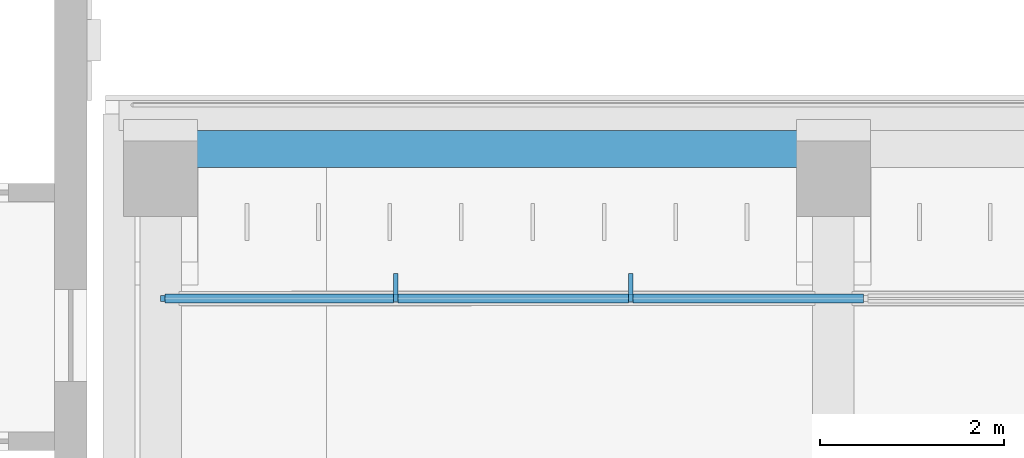
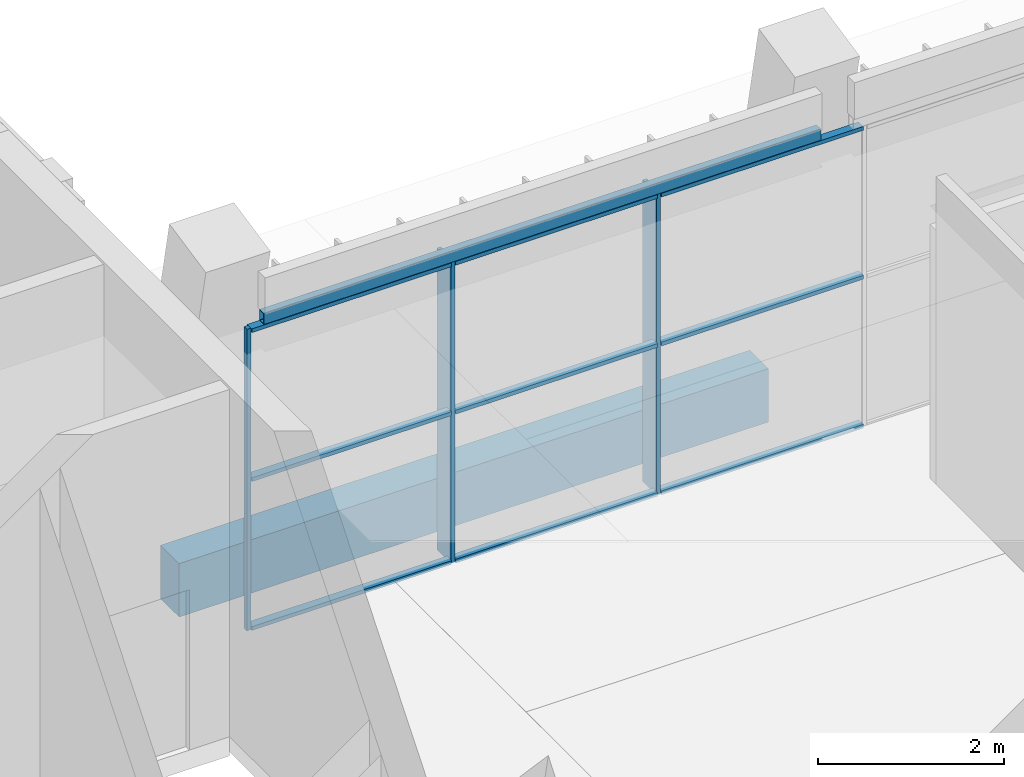
# One storey, part 32 of 141: 12 members, 2 beams, 1 element without a shape of its own.
"""IFC4 building model written with IfcOpenShell, lengths in metres."""

from ifc_helpers import new_model, si_unit, direction, frame, origin, origin_2d, place, context, subcontext, project, spatial, rectangle, hollow_rectangle, extrude, material, material_profile, profile_set, type_object, element, aggregate, save


model = new_model("IFC4")

# Units and contexts
model_context = context("Model", 3, precision=1e-05, world=origin(), true_north=direction((0.0, 1.0)))
body_context = subcontext(model_context, "Body", "Model", "MODEL_VIEW")
ifc_project = project(units=[si_unit("LENGTHUNIT", "METRE"), si_unit("AREAUNIT", "SQUARE_METRE"), si_unit("VOLUMEUNIT", "CUBIC_METRE"), si_unit("PLANEANGLEUNIT", "RADIAN"), si_unit("MASSUNIT", "GRAM", prefix="KILO")], contexts=[model_context])

# Site, building, storey
site_placement = place(None, origin())
site = spatial("IfcSite", under=ifc_project, at=site_placement, CompositionType="ELEMENT")
building_placement = place(site_placement, origin())
building = spatial("IfcBuilding", under=site, at=building_placement, Name="Lantern Court Media Centre", CompositionType="ELEMENT")
storey_placement = place(building_placement, frame((0.0, 0.0, 9.60009765625)))
storey = spatial("IfcBuildingStorey", under=building, at=storey_placement, Name="L02", CompositionType="ELEMENT", Elevation=9.60009765625)

# Curtain wall, members
ifc_material_1 = material(Name="Curtain wall bay 2400")
curtain_wall_type = type_object("IfcCurtainWallType", Name="Curtain wall bay 2400", PredefinedType="NOTDEFINED", material=ifc_material_1)
curtain_wall_placement = place(storey_placement, origin())
curtain_wall = element("IfcCurtainWall", 1, at=curtain_wall_placement, inside=storey, type_object=curtain_wall_type, Name="Curtain wall S inner L02", PredefinedType="NOTDEFINED")
ifc_material_2 = material(Name="Anodised aluminium", Category="aluminium")
ifc_material_profile_1 = material_profile(ifc_material_2, rectangle(XDim=0.300048828125, YDim=0.050048828125, at=origin_2d()), Name="AL 50x300")
ifc_profile_set_1 = profile_set([ifc_material_profile_1], Name="Anodised aluminium")
member_type_1 = type_object("IfcMemberType", Name="Curtain wall mullion 50x300", PredefinedType="MULLION", material=ifc_profile_set_1)
member_1_placement = place(storey_placement, frame((27.25, 59.969970703125, 0.0), z_axis=(0.0, 0.0, 1.0), x_axis=(0.0, 1.0, 0.0)))
member_1 = element("IfcMember", 2, at=member_1_placement, type_object=member_type_1, Name="CW2 mullion 2", PredefinedType="MULLION", context=body_context, shape_type="SweptSolid", body=[
    extrude(rectangle(XDim=0.300048828125, YDim=0.050048828125, at=origin_2d()), origin(), (0.0, 0.0, 1.0), 3.949951171875),
])
member_2_placement = place(storey_placement, frame((29.800048828125, 59.969970703125, 0.0), z_axis=(0.0, 0.0, 1.0), x_axis=(0.0, 1.0, 0.0)))
member_2 = element("IfcMember", 3, at=member_2_placement, type_object=member_type_1, Name="CW2 mullion 3", PredefinedType="MULLION", context=body_context, shape_type="SweptSolid", body=[
    extrude(rectangle(XDim=0.300048828125, YDim=0.050048828125, at=origin_2d()), origin(), (0.0, 0.0, 1.0), 3.949951171875),
])
ifc_material_profile_2 = material_profile(ifc_material_2, rectangle(XDim=0.06005859375, YDim=0.050048828125, at=origin_2d()), Name="AL 50x60")
ifc_profile_set_2 = profile_set([ifc_material_profile_2], Name="Anodised aluminium")
member_type_2 = type_object("IfcMemberType", Name="Curtain wall mullion 50x60", PredefinedType="MULLION", material=ifc_profile_set_2)
member_3_placement = place(storey_placement, frame((24.72509765625, 59.85009765625, 0.0), z_axis=(0.0, 0.0, 1.0), x_axis=(0.0, 1.0, 0.0)))
member_3 = element("IfcMember", 4, at=member_3_placement, type_object=member_type_2, Name="CW2 mullion 1", PredefinedType="MULLION", context=body_context, shape_type="SweptSolid", body=[
    extrude(rectangle(XDim=0.06005859375, YDim=0.050048828125, at=origin_2d()), origin(), (0.0, 0.0, 1.0), 3.949951171875),
])
ifc_material_profile_3 = material_profile(ifc_material_2, rectangle(XDim=0.10009765625, YDim=0.050048828125, at=origin_2d()), Name="AL 50x100")
ifc_profile_set_3 = profile_set([ifc_material_profile_3], Name="Anodised aluminium")
member_type_3 = type_object("IfcMemberType", Name="Curtain wall transom 100x50", PredefinedType="USERDEFINED", material=ifc_profile_set_3)
member_4_placement = place(storey_placement, frame((24.75, 59.85009765625, 0.02490234375), z_axis=(1.0, 0.0, 0.0), x_axis=(0.0, 1.0, 0.0)))
member_4 = element("IfcMember", 5, at=member_4_placement, type_object=member_type_3, Name="CW2 transom 1.1", ObjectType="TRANSOM", PredefinedType="USERDEFINED", context=body_context, shape_type="SweptSolid", body=[
    extrude(rectangle(XDim=0.10009765625, YDim=0.050048828125, at=origin_2d()), origin(), (0.0, 0.0, 1.0), 2.47509765625),
])
member_5_placement = place(storey_placement, frame((24.75, 59.85009765625, 1.974853515625), z_axis=(1.0, 0.0, 0.0), x_axis=(0.0, 1.0, 0.0)))
member_5 = element("IfcMember", 6, at=member_5_placement, type_object=member_type_3, Name="CW2 transom 1.2", ObjectType="TRANSOM", PredefinedType="USERDEFINED", context=body_context, shape_type="SweptSolid", body=[
    extrude(rectangle(XDim=0.10009765625, YDim=0.050048828125, at=origin_2d()), origin(), (0.0, 0.0, 1.0), 2.47509765625),
])
member_6_placement = place(storey_placement, frame((24.75, 59.85009765625, 3.9248046875), z_axis=(1.0, 0.0, 0.0), x_axis=(0.0, 1.0, 0.0)))
member_6 = element("IfcMember", 7, at=member_6_placement, type_object=member_type_3, Name="CW2 transom 1.3", ObjectType="TRANSOM", PredefinedType="USERDEFINED", context=body_context, shape_type="SweptSolid", body=[
    extrude(rectangle(XDim=0.10009765625, YDim=0.050048828125, at=origin_2d()), origin(), (0.0, 0.0, 1.0), 2.47509765625),
])
member_7_placement = place(storey_placement, frame((27.27490234375, 59.85009765625, 0.02490234375), z_axis=(1.0, 0.0, 0.0), x_axis=(0.0, 1.0, 0.0)))
member_7 = element("IfcMember", 8, at=member_7_placement, type_object=member_type_3, Name="CW2 transom 2.1", ObjectType="TRANSOM", PredefinedType="USERDEFINED", context=body_context, shape_type="SweptSolid", body=[
    extrude(rectangle(XDim=0.10009765625, YDim=0.050048828125, at=origin_2d()), origin(), (0.0, 0.0, 1.0), 2.5),
])
member_8_placement = place(storey_placement, frame((27.27490234375, 59.85009765625, 1.974853515625), z_axis=(1.0, 0.0, 0.0), x_axis=(0.0, 1.0, 0.0)))
member_8 = element("IfcMember", 9, at=member_8_placement, type_object=member_type_3, Name="CW2 transom 2.2", ObjectType="TRANSOM", PredefinedType="USERDEFINED", context=body_context, shape_type="SweptSolid", body=[
    extrude(rectangle(XDim=0.10009765625, YDim=0.050048828125, at=origin_2d()), origin(), (0.0, 0.0, 1.0), 2.5),
])
member_9_placement = place(storey_placement, frame((27.27490234375, 59.85009765625, 3.9248046875), z_axis=(1.0, 0.0, 0.0), x_axis=(0.0, 1.0, 0.0)))
member_9 = element("IfcMember", 10, at=member_9_placement, type_object=member_type_3, Name="CW2 transom 2.3", ObjectType="TRANSOM", PredefinedType="USERDEFINED", context=body_context, shape_type="SweptSolid", body=[
    extrude(rectangle(XDim=0.10009765625, YDim=0.050048828125, at=origin_2d()), origin(), (0.0, 0.0, 1.0), 2.5),
])
member_10_placement = place(storey_placement, frame((29.824951171875, 59.85009765625, 0.02490234375), z_axis=(1.0, 0.0, 0.0), x_axis=(0.0, 1.0, 0.0)))
member_10 = element("IfcMember", 11, at=member_10_placement, type_object=member_type_3, Name="CW2 transom 3.1", ObjectType="TRANSOM", PredefinedType="USERDEFINED", context=body_context, shape_type="SweptSolid", body=[
    extrude(rectangle(XDim=0.10009765625, YDim=0.050048828125, at=origin_2d()), origin(), (0.0, 0.0, 1.0), 2.5),
])
member_11_placement = place(storey_placement, frame((29.824951171875, 59.85009765625, 1.974853515625), z_axis=(1.0, 0.0, 0.0), x_axis=(0.0, 1.0, 0.0)))
member_11 = element("IfcMember", 12, at=member_11_placement, type_object=member_type_3, Name="CW2 transom 3.2", ObjectType="TRANSOM", PredefinedType="USERDEFINED", context=body_context, shape_type="SweptSolid", body=[
    extrude(rectangle(XDim=0.10009765625, YDim=0.050048828125, at=origin_2d()), origin(), (0.0, 0.0, 1.0), 2.5),
])
member_12_placement = place(storey_placement, frame((29.824951171875, 59.85009765625, 3.9248046875), z_axis=(1.0, 0.0, 0.0), x_axis=(0.0, 1.0, 0.0)))
member_12 = element("IfcMember", 13, at=member_12_placement, type_object=member_type_3, Name="CW2 transom 3.3", ObjectType="TRANSOM", PredefinedType="USERDEFINED", context=body_context, shape_type="SweptSolid", body=[
    extrude(rectangle(XDim=0.10009765625, YDim=0.050048828125, at=origin_2d()), origin(), (0.0, 0.0, 1.0), 2.5),
])
aggregate(curtain_wall, [member_3, member_1, member_2, member_4, member_5, member_6, member_7, member_8, member_9, member_10, member_11, member_12])

# Beams
ifc_material_3 = material(Name="Steel S355J2 (EN 10025-2)", Category="steel")
ifc_material_profile_4 = material_profile(ifc_material_3, hollow_rectangle(XDim=0.10009765625, YDim=0.14990234375, WallThickness=0.00634765625, InnerFilletRadius=0.00634765625, OuterFilletRadius=0.009521484375, at=origin_2d()), Name="Facade head lintel RHS 150x100x6.3")
ifc_profile_set_4 = profile_set([ifc_material_profile_4], Name="Steel S355J2 (EN 10025-2)")
beam_type_1 = type_object("IfcBeamType", Name="Facade head lintel RHS 150x100x6.3", PredefinedType="BEAM", material=ifc_profile_set_4)
beam_1_placement = place(storey_placement, frame((24.89990234375, 59.85009765625, 4.02490234375), z_axis=(1.0, 0.0, 0.0), x_axis=(0.0, 1.0, 0.0)))
element("IfcBeam", 14, at=beam_1_placement, inside=storey, type_object=beam_type_1, Name="Facade head lintel S L02", PredefinedType="BEAM", context=body_context, shape_type="SweptSolid", body=[
    extrude(hollow_rectangle(XDim=0.10009765625, YDim=0.14990234375, WallThickness=0.00634765625, InnerFilletRadius=0.00634765625, OuterFilletRadius=0.009521484375, at=origin_2d()), origin(), (0.0, 0.0, 1.0), 6.900146484375),
])
ifc_material_4 = material(Name="Concrete C35", Category="concrete")
ifc_material_profile_5 = material_profile(ifc_material_4, rectangle(XDim=0.39990234375, YDim=0.699951171875, at=origin_2d()), Name="RC 400x700")
ifc_profile_set_5 = profile_set([ifc_material_profile_5], Name="Concrete C35")
beam_type_2 = type_object("IfcBeamType", Name="RC BEAM 400x700", PredefinedType="BEAM", material=ifc_profile_set_5)
beam_2_placement = place(storey_placement, frame((24.699951171875, 61.472900390625, -0.35009765625), z_axis=(1.0, 0.0, 0.0), x_axis=(0.0, 1.0, 0.0)))
element("IfcBeam", 15, at=beam_2_placement, inside=storey, type_object=beam_type_2, Name="LB-S-L02-2-0", PredefinedType="BEAM", context=body_context, shape_type="SweptSolid", body=[
    extrude(rectangle(XDim=0.39990234375, YDim=0.699951171875, at=origin_2d()), origin(), (0.0, 0.0, 1.0), 7.300048828125),
])

save(model, "model.ifc")
